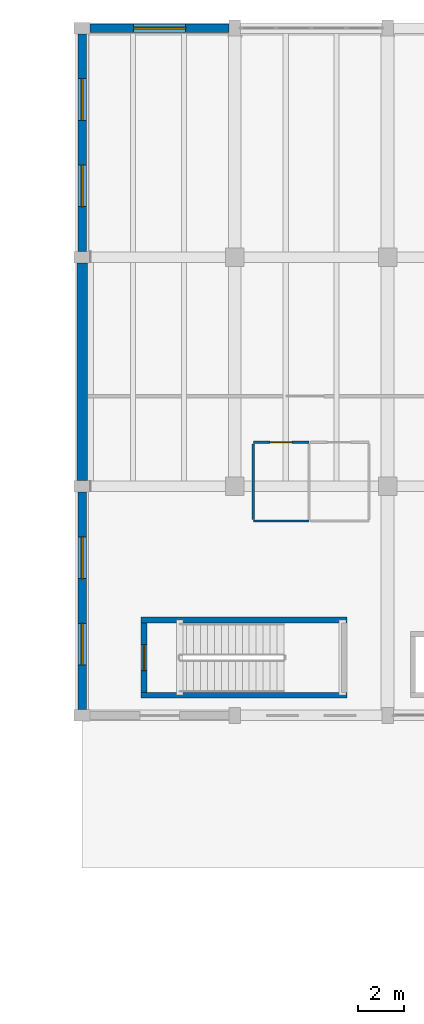
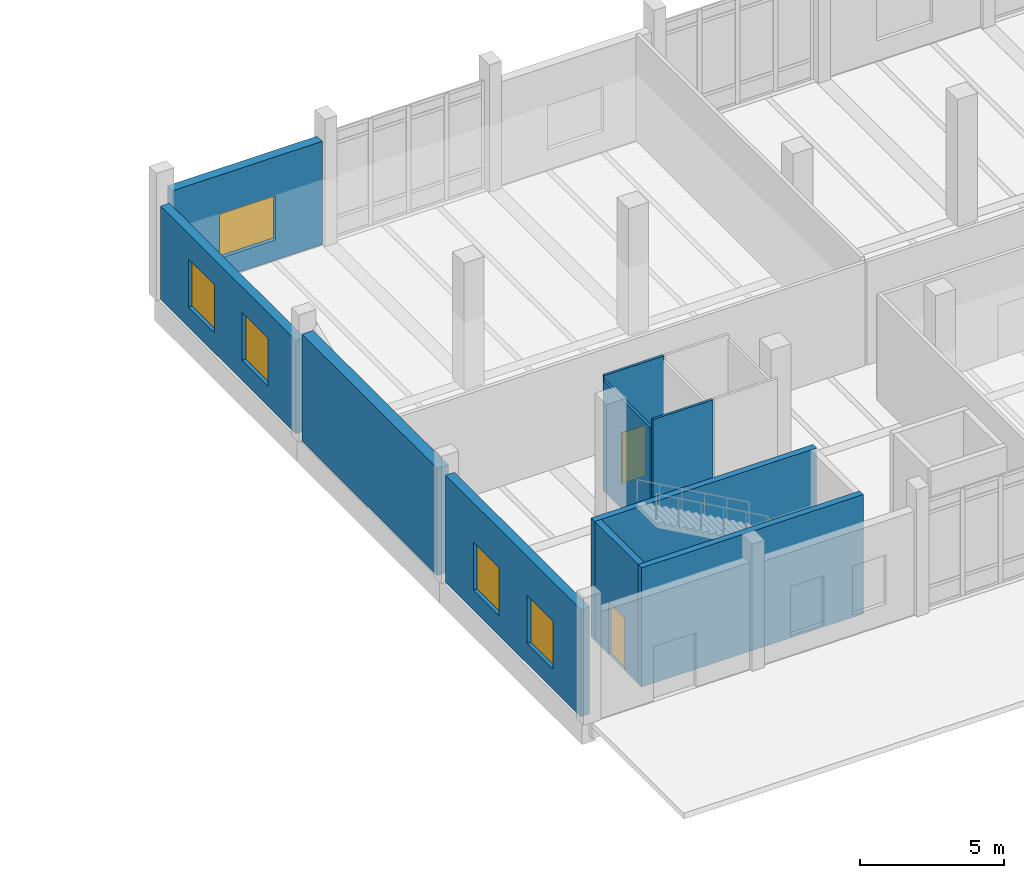
# One storey, part 52 of 72: 10 walls, 5 windows, 2 doors, 7 openings.
"""IFC4 building model written with IfcOpenShell, lengths in metres."""

from ifc_helpers import new_model, si_unit, direction, frame, frame_2d, origin, place, context, subcontext, project, spatial, rectangle, extrude, material, layer, layer_set, type_object, element, fill, save


model = new_model("IFC4")

# Units and contexts
model_context = context("Model", 3, precision=1e-05, world=origin(), true_north=direction((0.0, 1.0)))
body_context = subcontext(model_context, "Body", "Model", "MODEL_VIEW")
ifc_project = project(units=[si_unit("LENGTHUNIT", "METRE"), si_unit("AREAUNIT", "SQUARE_METRE"), si_unit("VOLUMEUNIT", "CUBIC_METRE"), si_unit("PLANEANGLEUNIT", "RADIAN"), si_unit("MASSUNIT", "GRAM", prefix="KILO")], contexts=[model_context])

# Site, building, storey
site_placement = place(None, origin())
site = spatial("IfcSite", under=ifc_project, at=site_placement, CompositionType="ELEMENT")
building_placement = place(site_placement, origin())
building = spatial("IfcBuilding", under=site, at=building_placement, Name="Dornvale Research Institute", CompositionType="ELEMENT")
storey_placement = place(building_placement, origin())
storey = spatial("IfcBuildingStorey", under=building, at=storey_placement, Name="L00", CompositionType="ELEMENT", Elevation=0.0)

# Wall
ifc_material_1 = material(Name="Acoustic Insulated Double-Stud Laboratory Partition")
ifc_layer_1 = layer(ifc_material_1, 0.10009765625)
ifc_layer_set_1 = layer_set([ifc_layer_1], Name="Acoustic Insulated Double-Stud Laboratory Partition")
wall_type_1 = type_object("IfcWallType", Name="Partition_Office_100", PredefinedType="PARTITIONING", material=ifc_layer_set_1)
wall_1_placement = place(storey_placement, frame((126.199951171875, 100.800048828125, 0.0), z_axis=(0.0, 0.0, 1.0), x_axis=(1.0, 0.0, 0.0)))
element("IfcWall", 1, at=wall_1_placement, inside=storey, type_object=wall_type_1, Name="L00 V4 interior partition #91", PredefinedType="PARTITIONING", context=body_context, shape_type="SweptSolid", body=[
    extrude(rectangle(XDim=2.400146484375, YDim=0.10009765625, at=frame_2d((1.2001953125, 0.0))), origin(), (0.0, 0.0, 1.0), 5.0400390625),
])

# Wall, opening, door
wall_2_placement = place(storey_placement, frame((126.199951171875, 104.199951171875, 0.0), z_axis=(0.0, 0.0, 1.0), x_axis=(1.0, 0.0, 0.0)))
wall_2 = element("IfcWall", 2, at=wall_2_placement, inside=storey, type_object=wall_type_1, Name="L00 V4 interior partition #92", PredefinedType="PARTITIONING", context=body_context, shape_type="SweptSolid", body=[
    extrude(rectangle(XDim=2.400146484375, YDim=0.10009765625, at=frame_2d((1.2001953125, 0.0))), origin(), (0.0, 0.0, 1.0), 4.844970703125),
])
opening_1_placement = place(wall_2_placement, frame((0.72509765625, 0.0, 0.0)))
opening_1 = element("IfcOpeningElement", 3, at=opening_1_placement, cuts=wall_2, Name="Opening ID-23", PredefinedType="OPENING", context=body_context, shape_type="SweptSolid", body=[
    extrude(rectangle(XDim=0.949951171875, YDim=2.14990234375, at=frame_2d((0.47509765625, 1.074951171875))), frame((0.0, 0.06494140625, 0.0), z_axis=(0.0, -1.0, 0.0), x_axis=(1.0, 0.0, 0.0)), (0.0, 0.0, 1.0), 0.130126953125),
])
ifc_material_2 = material(Name="Phenolic-Faced Solid-Core Laboratory Door Assembly")
door_type_1 = type_object("IfcDoorType", Name="Door_WC_950x2150", OperationType="SINGLE_SWING_LEFT", PredefinedType="DOOR", material=ifc_material_2)
door_1_placement = place(opening_1_placement, origin())
door_1 = element("IfcDoor", 4, at=door_1_placement, inside=storey, type_object=door_type_1, Name="L00 Wet Wing Male Restroom L00 door #41", OperationType="SINGLE_SWING_RIGHT", OverallHeight=2.14990234375, OverallWidth=0.949951171875, PredefinedType="DOOR", context=body_context, shape_type="SweptSolid", body=[
    extrude(rectangle(XDim=0.949951171875, YDim=2.14990234375, at=frame_2d((0.47509765625, 1.074951171875))), frame((0.0, 0.02490234375, 0.0), z_axis=(0.0, -1.0, 0.0), x_axis=(1.0, 0.0, 0.0)), (0.0, 0.0, 1.0), 0.050048828125),
])
fill(opening_1, door_1)

# Walls
wall_3_placement = place(storey_placement, frame((126.199951171875, 100.864990234375, 0.0), z_axis=(0.0, 0.0, 1.0), x_axis=(0.0, 1.0, 0.0)))
element("IfcWall", 5, at=wall_3_placement, inside=storey, type_object=wall_type_1, Name="L00 V4 interior partition #93", PredefinedType="PARTITIONING", context=body_context, shape_type="SweptSolid", body=[
    extrude(rectangle(XDim=3.27001953125, YDim=0.10009765625, at=frame_2d((1.635009765625, 0.0))), origin(), (0.0, 0.0, 1.0), 4.6650390625),
])
ifc_material_3 = material(Name="Concrete f'c 45 MPa (C35/45)", Category="concrete")
ifc_layer_2 = layer(ifc_material_3, 0.25)
ifc_layer_set_2 = layer_set([ifc_layer_2], Name="Concrete f'c 45 MPa (C35/45)")
wall_type_2 = type_object("IfcWallType", Name="ShearWall_Core_250", PredefinedType="SHEAR", material=ifc_layer_set_2)
for number, where, z_axis, x_axis, name in (
    (6, (121.35009765625, 93.27490234375, 0.0), (0.0, 0.0, 1.0), (1.0, 0.0, 0.0), "L00 ST-3 shaft shear wall south"),
    (7, (121.35009765625, 96.52490234375, 0.0), (0.0, 0.0, 1.0), (1.0, 0.0, 0.0), "L00 ST-3 shaft shear wall north"),
):
    element("IfcWall", number, at=place(storey_placement, frame(where, z_axis=z_axis, x_axis=x_axis)), inside=storey, type_object=wall_type_2, Name=name, PredefinedType="SHEAR", context=body_context, shape_type="SweptSolid", body=[
        extrude(rectangle(XDim=8.89990234375, YDim=0.25, at=frame_2d((4.449951171875, 0.0))), origin(), (0.0, 0.0, 1.0), 5.06005859375),
    ])

# Wall, opening, door
wall_4_placement = place(storey_placement, frame((121.47509765625, 93.39990234375, 0.0), z_axis=(0.0, 0.0, 1.0), x_axis=(0.0, 1.0, 0.0)))
wall_4 = element("IfcWall", 8, at=wall_4_placement, inside=storey, type_object=wall_type_2, Name="L00 ST-3 shaft shear wall west", PredefinedType="SHEAR", context=body_context, shape_type="SweptSolid", body=[
    extrude(rectangle(XDim=3.0, YDim=0.25, at=frame_2d((1.5, 0.0))), origin(), (0.0, 0.0, 1.0), 5.06005859375),
])
opening_2_placement = place(wall_4_placement, frame((0.93994140625, 0.0, 0.0)))
opening_2 = element("IfcOpeningElement", 9, at=opening_2_placement, cuts=wall_4, Name="Opening SD-01", PredefinedType="OPENING", context=body_context, shape_type="SweptSolid", body=[
    extrude(rectangle(XDim=1.1201171875, YDim=2.199951171875, at=frame_2d((0.56005859375, 1.10009765625))), frame((0.0, 0.139892578125, 0.0), z_axis=(0.0, -1.0, 0.0), x_axis=(1.0, 0.0, 0.0)), (0.0, 0.0, 1.0), 0.280029296875),
])
ifc_material_4 = material(Name="Insulated Fire-Rated Hollow Metal Door Assembly")
door_type_2 = type_object("IfcDoorType", Name="Door_Stair_1120x2200", OperationType="SINGLE_SWING_LEFT", PredefinedType="DOOR", material=ifc_material_4)
door_2_placement = place(opening_2_placement, origin())
door_2 = element("IfcDoor", 10, at=door_2_placement, inside=storey, type_object=door_type_2, Name="L00 ST-3 exit stair door #26", OperationType="SINGLE_SWING_RIGHT", OverallHeight=2.199951171875, OverallWidth=1.1201171875, PredefinedType="DOOR", context=body_context, shape_type="SweptSolid", body=[
    extrude(rectangle(XDim=1.1201171875, YDim=2.199951171875, at=frame_2d((0.56005859375, 1.10009765625))), frame((0.0, 0.02490234375, 0.0), z_axis=(0.0, -1.0, 0.0), x_axis=(1.0, 0.0, 0.0)), (0.0, 0.0, 1.0), 0.050048828125),
])
fill(opening_2, door_2)

# Wall
ifc_material_5 = material(Name="Precast Concrete f'c 40 MPa (C32/40) and Glazed Terracotta Backup Wall", Category="masonry")
ifc_layer_3 = layer(ifc_material_5, 0.449951171875)
ifc_layer_set_3 = layer_set([ifc_layer_3], Name="Precast Concrete f'c 40 MPa (C32/40) and Glazed Terracotta Backup Wall")
wall_type_3 = type_object("IfcWallType", Name="SolidWall_ShearBraceBay_450", PredefinedType="SOLIDWALL", material=ifc_layer_set_3)
wall_5_placement = place(storey_placement, frame((118.800048828125, 102.550048828125, 0.0), z_axis=(0.0, 0.0, 1.0), x_axis=(0.0, 1.0, 0.0)))
element("IfcWall", 11, at=wall_5_placement, inside=storey, type_object=wall_type_3, Name="L00 V4 west exterior wall #185", PredefinedType="SOLIDWALL", context=body_context, shape_type="SweptSolid", body=[
    extrude(rectangle(XDim=9.39990234375, YDim=0.449951171875, at=frame_2d((4.699951171875, 0.0))), origin(), (0.0, 0.0, 1.0), 4.550048828125),
])

# Wall, openings, windows
ifc_material_6 = material(Name="Catalan Pressed Brick and Insulated Cavity Assembly", Category="masonry")
ifc_layer_4 = layer(ifc_material_6, 0.360107421875)
ifc_layer_set_4 = layer_set([ifc_layer_4], Name="Catalan Pressed Brick and Insulated Cavity Assembly")
wall_type_4 = type_object("IfcWallType", Name="StandardWall_BrickCavity_360", PredefinedType="STANDARD", material=ifc_layer_set_4)
wall_6_placement = place(storey_placement, frame((118.800048828125, 92.64990234375, 0.0), z_axis=(0.0, 0.0, 1.0), x_axis=(0.0, 1.0, 0.0)))
wall_6 = element("IfcWall", 12, at=wall_6_placement, inside=storey, type_object=wall_type_4, Name="L00 V4 west exterior wall #184", PredefinedType="STANDARD", context=body_context, shape_type="SweptSolid", body=[
    extrude(rectangle(XDim=9.400146484375, YDim=0.360107421875, at=frame_2d((4.7001953125, 0.0))), origin(), (0.0, 0.0, 1.0), 4.550048828125),
])
opening_3_placement = place(wall_6_placement, frame((1.933349609375, 0.0, 0.85009765625)))
opening_3 = element("IfcOpeningElement", 13, at=opening_3_placement, cuts=wall_6, Name="Opening W-29", PredefinedType="OPENING", context=body_context, shape_type="SweptSolid", body=[
    extrude(rectangle(XDim=1.800048828125, YDim=2.0400390625, at=frame_2d((0.89990234375, 1.02001953125))), frame((0.0, 0.195068359375, 0.0), z_axis=(0.0, -1.0, 0.0), x_axis=(1.0, 0.0, 0.0)), (0.0, 0.0, 1.0), 0.39013671875),
])
opening_4_placement = place(wall_6_placement, frame((5.66650390625, 0.0, 0.85009765625)))
opening_4 = element("IfcOpeningElement", 14, at=opening_4_placement, cuts=wall_6, Name="Opening W-29", PredefinedType="OPENING", context=body_context, shape_type="SweptSolid", body=[
    extrude(rectangle(XDim=1.800048828125, YDim=2.0400390625, at=frame_2d((0.89990234375, 1.02001953125))), frame((0.0, 0.195068359375, 0.0), z_axis=(0.0, -1.0, 0.0), x_axis=(1.0, 0.0, 0.0)), (0.0, 0.0, 1.0), 0.39013671875),
])
ifc_material_7 = material(Name="Low-E Argon Double Insulating Glazing Unit", Category="glass")
window_type_1 = type_object("IfcWindowType", Name="Window_Alu_1800x2040_29", PartitioningType="DOUBLE_PANEL_VERTICAL", PredefinedType="WINDOW", material=ifc_material_7)
window_1_placement = place(opening_3_placement, origin())
window_1 = element("IfcWindow", 15, at=window_1_placement, inside=storey, type_object=window_type_1, Name="L00 V4 facade window W-29 #250", OverallHeight=2.0400390625, OverallWidth=1.800048828125, PartitioningType="DOUBLE_PANEL_VERTICAL", PredefinedType="WINDOW", context=body_context, shape_type="SweptSolid", body=[
    extrude(rectangle(XDim=1.800048828125, YDim=2.0400390625, at=frame_2d((0.89990234375, 1.02001953125))), frame((0.0, 0.030029296875, 0.0), z_axis=(0.0, -1.0, 0.0), x_axis=(1.0, 0.0, 0.0)), (0.0, 0.0, 1.0), 0.06005859375),
])
fill(opening_3, window_1)
window_2_placement = place(opening_4_placement, origin())
window_2 = element("IfcWindow", 16, at=window_2_placement, inside=storey, type_object=window_type_1, Name="L00 V4 facade window W-29 #251", OverallHeight=2.0400390625, OverallWidth=1.800048828125, PartitioningType="DOUBLE_PANEL_VERTICAL", PredefinedType="WINDOW", context=body_context, shape_type="SweptSolid", body=[
    extrude(rectangle(XDim=1.800048828125, YDim=2.0400390625, at=frame_2d((0.89990234375, 1.02001953125))), frame((0.0, 0.030029296875, 0.0), z_axis=(0.0, -1.0, 0.0), x_axis=(1.0, 0.0, 0.0)), (0.0, 0.0, 1.0), 0.06005859375),
])
fill(opening_4, window_2)

wall_7_placement = place(storey_placement, frame((118.800048828125, 112.449951171875, 0.0), z_axis=(0.0, 0.0, 1.0), x_axis=(0.0, 1.0, 0.0)))
wall_7 = element("IfcWall", 17, at=wall_7_placement, inside=storey, type_object=wall_type_4, Name="L00 V4 west exterior wall #186", PredefinedType="STANDARD", context=body_context, shape_type="SweptSolid", body=[
    extrude(rectangle(XDim=9.400146484375, YDim=0.360107421875, at=frame_2d((4.7001953125, 0.0))), origin(), (0.0, 0.0, 1.0), 3.9599609375),
])
opening_5_placement = place(wall_7_placement, frame((1.933349609375, 0.0, 0.85009765625)))
opening_5 = element("IfcOpeningElement", 18, at=opening_5_placement, cuts=wall_7, Name="Opening W-29", PredefinedType="OPENING", context=body_context, shape_type="SweptSolid", body=[
    extrude(rectangle(XDim=1.800048828125, YDim=2.0400390625, at=frame_2d((0.89990234375, 1.02001953125))), frame((0.0, 0.195068359375, 0.0), z_axis=(0.0, -1.0, 0.0), x_axis=(1.0, 0.0, 0.0)), (0.0, 0.0, 1.0), 0.39013671875),
])
opening_6_placement = place(wall_7_placement, frame((5.66650390625, 0.0, 0.85009765625)))
opening_6 = element("IfcOpeningElement", 19, at=opening_6_placement, cuts=wall_7, Name="Opening W-29", PredefinedType="OPENING", context=body_context, shape_type="SweptSolid", body=[
    extrude(rectangle(XDim=1.800048828125, YDim=2.0400390625, at=frame_2d((0.89990234375, 1.02001953125))), frame((0.0, 0.195068359375, 0.0), z_axis=(0.0, -1.0, 0.0), x_axis=(1.0, 0.0, 0.0)), (0.0, 0.0, 1.0), 0.39013671875),
])
window_3_placement = place(opening_5_placement, origin())
window_3 = element("IfcWindow", 20, at=window_3_placement, inside=storey, type_object=window_type_1, Name="L00 V4 facade window W-29 #252", OverallHeight=2.0400390625, OverallWidth=1.800048828125, PartitioningType="DOUBLE_PANEL_VERTICAL", PredefinedType="WINDOW", context=body_context, shape_type="SweptSolid", body=[
    extrude(rectangle(XDim=1.800048828125, YDim=2.0400390625, at=frame_2d((0.89990234375, 1.02001953125))), frame((0.0, 0.030029296875, 0.0), z_axis=(0.0, -1.0, 0.0), x_axis=(1.0, 0.0, 0.0)), (0.0, 0.0, 1.0), 0.06005859375),
])
fill(opening_5, window_3)
window_4_placement = place(opening_6_placement, origin())
window_4 = element("IfcWindow", 21, at=window_4_placement, inside=storey, type_object=window_type_1, Name="L00 V4 facade window W-29 #253", OverallHeight=2.0400390625, OverallWidth=1.800048828125, PartitioningType="DOUBLE_PANEL_VERTICAL", PredefinedType="WINDOW", context=body_context, shape_type="SweptSolid", body=[
    extrude(rectangle(XDim=1.800048828125, YDim=2.0400390625, at=frame_2d((0.89990234375, 1.02001953125))), frame((0.0, 0.030029296875, 0.0), z_axis=(0.0, -1.0, 0.0), x_axis=(1.0, 0.0, 0.0)), (0.0, 0.0, 1.0), 0.06005859375),
])
fill(opening_6, window_4)

# Wall, opening, window
wall_8_placement = place(storey_placement, frame((119.14990234375, 122.10009765625, 0.0), z_axis=(0.0, 0.0, 1.0), x_axis=(1.0, 0.0, 0.0)))
wall_8 = element("IfcWall", 22, at=wall_8_placement, inside=storey, type_object=wall_type_4, Name="L00 V4 north exterior wall #187", PredefinedType="STANDARD", context=body_context, shape_type="SweptSolid", body=[
    extrude(rectangle(XDim=6.0, YDim=0.360107421875, at=frame_2d((3.0, 0.0))), origin(), (0.0, 0.0, 1.0), 4.3798828125),
])
opening_7_placement = place(wall_8_placement, frame((1.875, 0.0, 0.85009765625)))
opening_7 = element("IfcOpeningElement", 23, at=opening_7_placement, cuts=wall_8, Name="Opening W-32", PredefinedType="OPENING", context=body_context, shape_type="SweptSolid", body=[
    extrude(rectangle(XDim=2.25, YDim=1.8798828125, at=frame_2d((1.125, 0.93994140625))), frame((0.0, 0.195068359375, 0.0), z_axis=(0.0, -1.0, 0.0), x_axis=(1.0, 0.0, 0.0)), (0.0, 0.0, 1.0), 0.39013671875),
])
ifc_material_8 = material(Name="Low-E Argon Double Insulating Glazing Unit", Category="glass")
window_type_2 = type_object("IfcWindowType", Name="Window_Alu_2250x1880_32", PartitioningType="DOUBLE_PANEL_VERTICAL", PredefinedType="WINDOW", material=ifc_material_8)
window_5_placement = place(opening_7_placement, origin())
window_5 = element("IfcWindow", 24, at=window_5_placement, inside=storey, type_object=window_type_2, Name="L00 V4 facade window W-32 #254", OverallHeight=1.8798828125, OverallWidth=2.25, PartitioningType="DOUBLE_PANEL_VERTICAL", PredefinedType="WINDOW", context=body_context, shape_type="SweptSolid", body=[
    extrude(rectangle(XDim=2.25, YDim=1.8798828125, at=frame_2d((1.125, 0.93994140625))), frame((0.0, 0.030029296875, 0.0), z_axis=(0.0, -1.0, 0.0), x_axis=(1.0, 0.0, 0.0)), (0.0, 0.0, 1.0), 0.06005859375),
])
fill(opening_7, window_5)

save(model, "model.ifc")
